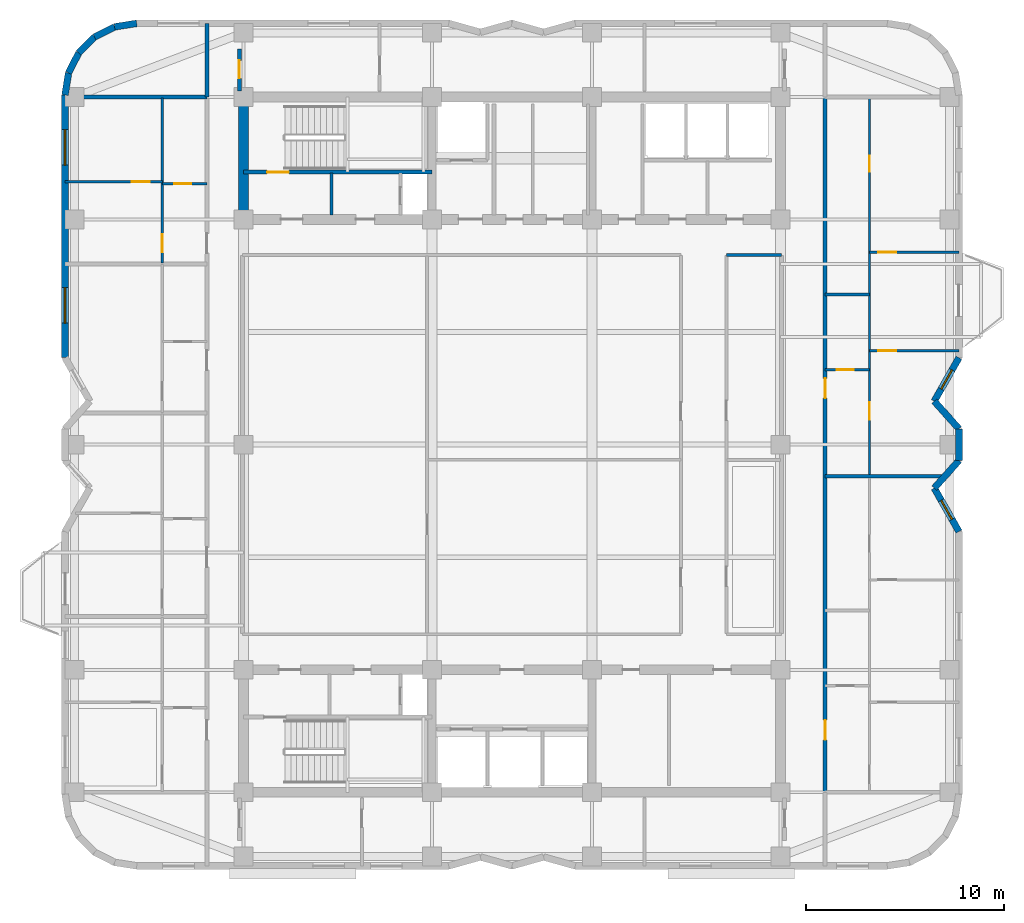
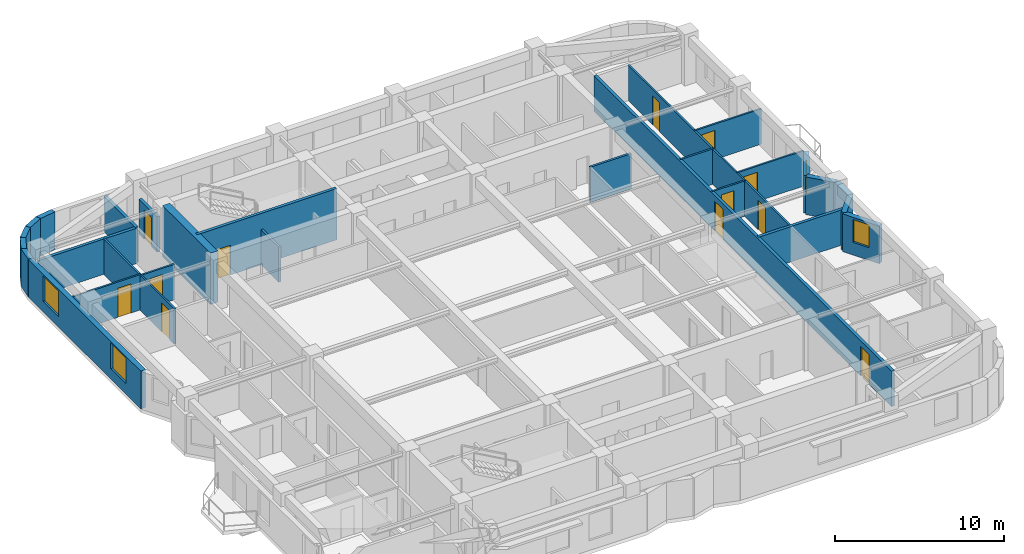
# One storey, part 5 of 9: 28 walls, 12 doors, 4 windows, 16 openings.
"""IFC4 building model written with IfcOpenShell, lengths in metres."""

import ifcopenshell
import ifcopenshell.guid

model = None  # the IFC model being written
_history = None  # IfcOwnerHistory: only IFC2X3 demands one
_inside = {}  # id of a spatial element -> (the spatial element, [elements in it])
_under = {}  # id of a project, library or spatial element -> (it, [spatial elements below it])
_declared = {}  # id of a project -> (the project, [libraries it declares])
_typed = {}  # id of a type object -> (the type object, [elements of that type])
_made_of = {}  # id of a material, layer set ... -> (it, [elements and type objects made of it])


def new_model(schema):
    """Start an empty IFC model of exactly this schema.

    Asked for "IFC4X3", IfcOpenShell would pick the latest addendum, in which some entities
    have other attributes; the version numbers below select the first issue.
    IFC2X3 requires an IfcOwnerHistory on every rooted entity: one is made here for all.
    """
    global model, _history
    if schema == "IFC4X3":
        model = ifcopenshell.file(schema_version=(4, 3, 0, 0))
    else:
        model = ifcopenshell.file(schema=schema)
    _inside.clear()
    _under.clear()
    _declared.clear()
    _typed.clear()
    _made_of.clear()
    _history = None
    if model.schema == "IFC2X3":
        org = make("IfcOrganization", Name="unknown")
        user = make(
            "IfcPersonAndOrganization",
            ThePerson=make("IfcPerson", FamilyName="unknown"),
            TheOrganization=org,
        )
        app = make(
            "IfcApplication",
            ApplicationDeveloper=org,
            Version="unknown",
            ApplicationFullName="unknown",
            ApplicationIdentifier="unknown",
        )
        _history = make(
            "IfcOwnerHistory",
            OwningUser=user,
            OwningApplication=app,
            ChangeAction="ADDED",
            CreationDate=0,
        )
    return model


def make(cls, **values):
    """One entity of the class cls with the attributes given. An attribute that is None is left unset."""
    return model.create_entity(
        cls, **{name: value for name, value in values.items() if value is not None}
    )


def rooted(cls, **values):
    """An entity with a GlobalId (a new one), such as an element, a storey or a relation."""
    return make(cls, GlobalId=ifcopenshell.guid.new(), OwnerHistory=_history, **values)


def si_unit(unit_type, name, prefix=None):
    """IfcSIUnit, for example si_unit("LENGTHUNIT", "METRE", prefix="MILLI")."""
    return make("IfcSIUnit", UnitType=unit_type, Prefix=prefix, Name=name)


def assignment(units):
    """IfcUnitAssignment: the units of a project."""
    return None if units is None else make("IfcUnitAssignment", Units=units)


def point(xyz):
    """IfcCartesianPoint."""
    return None if xyz is None else make("IfcCartesianPoint", Coordinates=xyz)


def direction(xyz):
    """IfcDirection."""
    return None if xyz is None else make("IfcDirection", DirectionRatios=xyz)


def frame(location, z_axis=None, x_axis=None):
    """IfcAxis2Placement3D, a coordinate frame: its origin and axes. An axis left out is left unset."""
    return make(
        "IfcAxis2Placement3D",
        Location=point(location),
        Axis=direction(z_axis),
        RefDirection=direction(x_axis),
    )


def frame_2d(location, x_axis=None):
    """IfcAxis2Placement2D, a coordinate frame in the plane: its origin and x axis."""
    return make(
        "IfcAxis2Placement2D", Location=point(location), RefDirection=direction(x_axis)
    )


def origin():
    """The frame at (0, 0, 0) with its axes left unset."""
    return frame((0.0, 0.0, 0.0))


def place(relative_to, where):
    """IfcLocalPlacement: puts the frame where relative to a parent placement (None: the world)."""
    return make(
        "IfcLocalPlacement", PlacementRelTo=relative_to, RelativePlacement=where
    )


def context(
    kind, dimensions, precision=None, world=None, true_north=None, identifier=None
):
    """IfcGeometricRepresentationContext, for example the 3D "Model" context."""
    return make(
        "IfcGeometricRepresentationContext",
        ContextIdentifier=identifier,
        ContextType=kind,
        CoordinateSpaceDimension=dimensions,
        Precision=precision,
        WorldCoordinateSystem=world,
        TrueNorth=true_north,
    )


def subcontext(parent, identifier, kind, view, scale=None):
    """IfcGeometricRepresentationSubContext, for example "Body" below "Model"."""
    return make(
        "IfcGeometricRepresentationSubContext",
        ContextIdentifier=identifier,
        ContextType=kind,
        ParentContext=parent,
        TargetScale=scale,
        TargetView=view,
    )


def project(units=None, contexts=None):
    """IfcProject with its units and contexts."""
    return rooted(
        "IfcProject",
        Name="project",
        RepresentationContexts=contexts,
        UnitsInContext=assignment(units),
    )


def spatial(cls, under=None, at=None, **own):
    """A site, building, storey or space (cls), placed at a placement, below another one or the project."""
    s = rooted(cls, ObjectPlacement=at, **own)
    if under is not None:
        _under.setdefault(under.id(), (under, []))[1].append(s)
    return s


def profile(cls, at=None, kind="AREA", **sizes):
    """A parametric profile (cls). Its sizes go by their IFC names, for example OverallWidth=200.0."""
    return make(cls, ProfileType=kind, Position=at, **sizes)


def rectangle(**sizes):
    """IfcRectangleProfileDef."""
    return profile("IfcRectangleProfileDef", **sizes)


def extrude(swept, where, along, depth):
    """IfcExtrudedAreaSolid: the profile swept, set in the frame where, extruded along a direction by depth."""
    return make(
        "IfcExtrudedAreaSolid",
        SweptArea=swept,
        Position=where,
        ExtrudedDirection=direction(along),
        Depth=depth,
    )


def shape(context_of_items, identifier, shape_type, items):
    """IfcShapeRepresentation: the items that make up one representation, for example the "Body"."""
    return make(
        "IfcShapeRepresentation",
        ContextOfItems=context_of_items,
        RepresentationIdentifier=identifier,
        RepresentationType=shape_type,
        Items=items,
    )


def material(Name=None, Category=None):
    """IfcMaterial."""
    return make("IfcMaterial", Name=Name, Category=Category)


def layer(
    of_material, thickness, ventilated=None, Name=None, Category=None, Priority=None
):
    """IfcMaterialLayer: one layer of a wall or slab, of a material (None: an air gap)."""
    return make(
        "IfcMaterialLayer",
        Material=of_material,
        LayerThickness=thickness,
        IsVentilated=ventilated,
        Name=Name,
        Category=Category,
        Priority=Priority,
    )


def layer_set(layers, Name=None):
    """IfcMaterialLayerSet."""
    return make("IfcMaterialLayerSet", MaterialLayers=layers, LayerSetName=Name)


def made_of(thing, what):
    """Note that an element or type object is made of a material, layer set ...; save() writes the relation."""
    if what is not None:
        _made_of.setdefault(what.id(), (what, []))[1].append(thing)
    return thing


def type_object(cls, material=None, **own):
    """A type object (cls), such as IfcWallType, which elements share."""
    return made_of(rooted(cls, **own), material)


def element(
    cls,
    number,
    at=None,
    inside=None,
    cuts=None,
    type_object=None,
    material=None,
    context=None,
    identifier="Body",
    shape_type=None,
    held_by="IfcProductDefinitionShape",
    body=None,
    shapes=None,
    **own,
):
    """One element of the class cls, such as IfcWall. Its Tag is "e" and its number.

    at: its placement. inside: the storey or other place that contains it. cuts: it is an
    opening in that element (IfcRelVoidsElement). A single representation is given by context,
    identifier, shape_type and body (its items); several are given by shapes. held_by: the class
    of the entity that holds the representations. save() writes the other relations.
    """
    e = rooted(cls, Tag="e%d" % number, ObjectPlacement=at, **own)
    if body is not None:
        shapes = [shape(context, identifier, shape_type, body)]
    if shapes is not None:
        e.Representation = make(held_by, Representations=shapes)
    if inside is not None:
        _inside.setdefault(inside.id(), (inside, []))[1].append(e)
    if cuts is not None:
        rooted(
            "IfcRelVoidsElement", RelatingBuildingElement=cuts, RelatedOpeningElement=e
        )
    if type_object is not None:
        _typed.setdefault(type_object.id(), (type_object, []))[1].append(e)
    return made_of(e, material)


def fill(opening, filler):
    """IfcRelFillsElement: the door or window that sits in an opening."""
    return rooted(
        "IfcRelFillsElement",
        RelatingOpeningElement=opening,
        RelatedBuildingElement=filler,
    )


def aggregate(whole, parts):
    """IfcRelAggregates: a whole, such as a stair, and the parts it consists of."""
    return rooted("IfcRelAggregates", RelatingObject=whole, RelatedObjects=parts)


def save(model, path):
    """Write the relations noted so far, then the file.

    IfcRelAggregates (storeys below a building ...), IfcRelContainedInSpatialStructure (elements
    in a storey), IfcRelDefinesByType, IfcRelAssociatesMaterial and IfcRelDeclares: one each for
    every whole, place, type object, material and project.
    """
    for whole, parts in _under.values():
        aggregate(whole, parts)
    for where, things in _inside.values():
        rooted(
            "IfcRelContainedInSpatialStructure",
            RelatedElements=things,
            RelatingStructure=where,
        )
    for kind, things in _typed.values():
        rooted("IfcRelDefinesByType", RelatedObjects=things, RelatingType=kind)
    for what, things in _made_of.values():
        rooted("IfcRelAssociatesMaterial", RelatedObjects=things, RelatingMaterial=what)
    for by, libraries in _declared.values():
        rooted("IfcRelDeclares", RelatingContext=by, RelatedDefinitions=libraries)
    model.write(path)


model = new_model("IFC4")

# Units and contexts
model_context = context("Model", 3, precision=1e-05, world=origin(), true_north=direction((0.0, 1.0)))
body_context = subcontext(model_context, "Body", "Model", "MODEL_VIEW")
ifc_project = project(units=[si_unit("LENGTHUNIT", "METRE"), si_unit("AREAUNIT", "SQUARE_METRE"), si_unit("VOLUMEUNIT", "CUBIC_METRE"), si_unit("PLANEANGLEUNIT", "RADIAN"), si_unit("MASSUNIT", "GRAM", prefix="KILO")], contexts=[model_context])

# Site, building, storey
site_placement = place(None, origin())
site = spatial("IfcSite", under=ifc_project, at=site_placement, CompositionType="ELEMENT")
building_placement = place(site_placement, origin())
building = spatial("IfcBuilding", under=site, at=building_placement, Name="Svetorya Sky Lyceum", CompositionType="ELEMENT")
storey_placement = place(building_placement, frame((0.0, 0.0, 166.300048828125)))
storey = spatial("IfcBuildingStorey", under=building, at=storey_placement, Name="L41", CompositionType="ELEMENT", Elevation=166.300048828125)

# Wall
ifc_material_1 = material(Name="Concrete C50/60", Category="concrete")
ifc_layer_1 = layer(ifc_material_1, 0.5)
ifc_layer_set_1 = layer_set([ifc_layer_1], Name="Concrete C50/60")
wall_type_1 = type_object("IfcWallType", Name="WL-CORE-500", PredefinedType="SHEAR", material=ifc_layer_set_1)
wall_1_placement = place(storey_placement, frame((25.60009765625, 39.85009765625, 0.0), z_axis=(0.0, 0.0, 1.0), x_axis=(0.0, 1.0, 0.0)))
element("IfcWall", 1, at=wall_1_placement, inside=storey, type_object=wall_type_1, Name="L41 NC West Core Shear Wall", PredefinedType="SHEAR", context=body_context, shape_type="SweptSolid", body=[
    extrude(rectangle(XDim=5.699951171875, YDim=0.5, at=frame_2d((2.85009765625, 0.0))), origin(), (0.0, 0.0, 1.0), 3.699951171875),
])

# Wall, opening, window
ifc_material_2 = material(Name="Putilovo limestone rainscreen on autoclaved cellular masonry", Category="masonry")
ifc_layer_2 = layer(ifc_material_2, 0.340087890625)
ifc_layer_set_2 = layer_set([ifc_layer_2], Name="Putilovo limestone rainscreen on autoclaved cellular masonry")
wall_type_2 = type_object("IfcWallType", Name="WL-EXT-340", PredefinedType="SOLIDWALL", material=ifc_layer_set_2)
wall_2_placement = place(storey_placement, frame((61.830078125, 23.800048828125, 0.0), z_axis=(0.0, 0.0, 1.0), x_axis=(-0.494017696272, 0.869451847873, 0.0)))
wall_2 = element("IfcWall", 2, at=wall_2_placement, inside=storey, type_object=wall_type_2, Name="L41 Limestone Exterior Wall 18M", PredefinedType="SOLIDWALL", context=body_context, shape_type="SweptSolid", body=[
    extrude(rectangle(XDim=2.5302734375, YDim=0.340087890625, at=frame_2d((1.26513671875, 0.0))), origin(), (0.0, 0.0, 1.0), 2.719970703125),
])
opening_1_placement = place(wall_2_placement, frame((0.715087890625, 0.0, 0.909912109375)))
opening_1 = element("IfcOpeningElement", 3, at=opening_1_placement, cuts=wall_2, Name="Opening W-R3", PredefinedType="OPENING", context=body_context, shape_type="SweptSolid", body=[
    extrude(rectangle(XDim=1.10009765625, YDim=1.64990234375, at=frame_2d((0.550048828125, 0.824951171875))), frame((0.0, 0.179931640625, 0.0), z_axis=(0.0, -1.0, 0.0), x_axis=(1.0, 0.0, 0.0)), (0.0, 0.0, 1.0), 0.360107421875),
])
ifc_material_3 = material(Name="Thermally broken aluminium frame with triple low-E glazing", Category="aluminium")
window_type_1 = type_object("IfcWindowType", Name="WN-RES-110", PartitioningType="SINGLE_PANEL", PredefinedType="WINDOW", material=ifc_material_3)
window_1_placement = place(opening_1_placement, origin())
window_1 = element("IfcWindow", 4, at=window_1_placement, inside=storey, type_object=window_type_1, Name="L41 Facade Window W-R3.18M.1", OverallHeight=1.64990234375, OverallWidth=1.10009765625, PartitioningType="SINGLE_PANEL", PredefinedType="WINDOW", context=body_context, shape_type="SweptSolid", body=[
    extrude(rectangle(XDim=1.10009765625, YDim=1.64990234375, at=frame_2d((0.550048828125, 0.824951171875))), frame((0.0, 0.030029296875, 0.0), z_axis=(0.0, -1.0, 0.0), x_axis=(1.0, 0.0, 0.0)), (0.0, 0.0, 1.0), 0.06005859375),
])
fill(opening_1, window_1)

# Walls
wall_3_placement = place(storey_placement, frame((60.580078125, 26.0, 0.0), z_axis=(0.0, 0.0, 1.0), x_axis=(0.666041619974, 0.74591457987, 0.0)))
element("IfcWall", 5, at=wall_3_placement, inside=storey, type_object=wall_type_2, Name="L41 Limestone Exterior Wall 19M", PredefinedType="SOLIDWALL", context=body_context, shape_type="SweptSolid", body=[
    extrude(rectangle(XDim=1.876708984375, YDim=0.340087890625, at=frame_2d((0.9384765625, 0.0))), origin(), (0.0, 0.0, 1.0), 2.719970703125),
])
wall_4_placement = place(storey_placement, frame((61.830078125, 27.39990234375, 0.0), z_axis=(0.0, 0.0, 1.0), x_axis=(0.0, 1.0, 0.0)))
element("IfcWall", 6, at=wall_4_placement, inside=storey, type_object=wall_type_2, Name="L41 Limestone Exterior Wall 20M", PredefinedType="SOLIDWALL", context=body_context, shape_type="SweptSolid", body=[
    extrude(rectangle(XDim=1.60009765625, YDim=0.340087890625, at=frame_2d((0.800048828125, 0.0))), origin(), (0.0, 0.0, 1.0), 2.719970703125),
])
wall_5_placement = place(storey_placement, frame((61.830078125, 29.0, 0.0), z_axis=(0.0, 0.0, 1.0), x_axis=(-0.666041619974, 0.74591457987, 0.0)))
element("IfcWall", 7, at=wall_5_placement, inside=storey, type_object=wall_type_2, Name="L41 Limestone Exterior Wall 21M", PredefinedType="SOLIDWALL", context=body_context, shape_type="SweptSolid", body=[
    extrude(rectangle(XDim=1.876708984375, YDim=0.340087890625, at=frame_2d((0.9384765625, 0.0))), origin(), (0.0, 0.0, 1.0), 2.719970703125),
])

# Wall, opening, window
wall_6_placement = place(storey_placement, frame((60.580078125, 30.39990234375, 0.0), z_axis=(0.0, 0.0, 1.0), x_axis=(0.493976255291, 0.869475393101, 0.0)))
wall_6 = element("IfcWall", 8, at=wall_6_placement, inside=storey, type_object=wall_type_2, Name="L41 Limestone Exterior Wall 22M", PredefinedType="SOLIDWALL", context=body_context, shape_type="SweptSolid", body=[
    extrude(rectangle(XDim=2.530517578125, YDim=0.340087890625, at=frame_2d((1.26513671875, 0.0))), origin(), (0.0, 0.0, 1.0), 2.719970703125),
])
opening_2_placement = place(wall_6_placement, frame((0.715087890625, 0.0, 0.909912109375)))
opening_2 = element("IfcOpeningElement", 9, at=opening_2_placement, cuts=wall_6, Name="Opening W-R3", PredefinedType="OPENING", context=body_context, shape_type="SweptSolid", body=[
    extrude(rectangle(XDim=1.10009765625, YDim=1.64990234375, at=frame_2d((0.550048828125, 0.824951171875))), frame((0.0, 0.179931640625, 0.0), z_axis=(0.0, -1.0, 0.0), x_axis=(1.0, 0.0, 0.0)), (0.0, 0.0, 1.0), 0.360107421875),
])
window_2_placement = place(opening_2_placement, origin())
window_2 = element("IfcWindow", 10, at=window_2_placement, inside=storey, type_object=window_type_1, Name="L41 Facade Window W-R3.22M.1", OverallHeight=1.64990234375, OverallWidth=1.10009765625, PartitioningType="SINGLE_PANEL", PredefinedType="WINDOW", context=body_context, shape_type="SweptSolid", body=[
    extrude(rectangle(XDim=1.10009765625, YDim=1.64990234375, at=frame_2d((0.550048828125, 0.824951171875))), frame((0.0, 0.030029296875, 0.0), z_axis=(0.0, -1.0, 0.0), x_axis=(1.0, 0.0, 0.0)), (0.0, 0.0, 1.0), 0.06005859375),
])
fill(opening_2, window_2)

# Walls
wall_7_placement = place(storey_placement, frame((20.199951171875, 49.530029296875, 0.0), z_axis=(0.0, 0.0, 1.0), x_axis=(-0.987675651954, -0.156514556949, 0.0)))
element("IfcWall", 11, at=wall_7_placement, inside=storey, type_object=wall_type_2, Name="L41 Limestone Exterior Wall 35M", PredefinedType="SOLIDWALL", context=body_context, shape_type="SweptSolid", body=[
    extrude(rectangle(XDim=1.135498046875, YDim=0.340087890625, at=frame_2d((0.56787109375, 0.0))), origin(), (0.0, 0.0, 1.0), 2.719970703125),
])
for number, where, z_axis, x_axis, name in (
    (12, (19.078369140625, 49.352294921875, 0.0), (0.0, 0.0, 1.0), (-0.891005044957, -0.453993402883, 0.0), "L41 Limestone Exterior Wall 36M"),
    (13, (18.06640625, 48.836669921875, 0.0), (0.0, 0.0, 1.0), (-0.707214252388, -0.706999293649, 0.0), "L41 Limestone Exterior Wall 37M"),
    (14, (17.26318359375, 48.03369140625, 0.0), (0.0, 0.0, 1.0), (-0.453822724105, -0.891091990249, 0.0), "L41 Limestone Exterior Wall 38M"),
    (15, (16.747802734375, 47.021728515625, 0.0), (0.0, 0.0, 1.0), (-0.156481329164, -0.987680916907, 0.0), "L41 Limestone Exterior Wall 39M"),
):
    element("IfcWall", number, at=place(storey_placement, frame(where, z_axis=z_axis, x_axis=x_axis)), inside=storey, type_object=wall_type_2, Name=name, PredefinedType="SOLIDWALL", context=body_context, shape_type="SweptSolid", body=[
        extrude(rectangle(XDim=1.1357421875, YDim=0.340087890625, at=frame_2d((0.56787109375, 0.0))), origin(), (0.0, 0.0, 1.0), 2.719970703125),
    ])

# Wall, openings, windows
wall_8_placement = place(storey_placement, frame((16.570068359375, 45.89990234375, 0.0), z_axis=(0.0, 0.0, 1.0), x_axis=(0.0, -1.0, 0.0)))
wall_8 = element("IfcWall", 16, at=wall_8_placement, inside=storey, type_object=wall_type_2, Name="L41 Limestone Exterior Wall 40M", PredefinedType="SOLIDWALL", context=body_context, shape_type="SweptSolid", body=[
    extrude(rectangle(XDim=13.2998046875, YDim=0.340087890625, at=frame_2d((6.64990234375, 0.0))), origin(), (0.0, 0.0, 1.0), 2.719970703125),
])
opening_3_placement = place(wall_8_placement, frame((1.75, 0.0, 0.75)))
opening_3 = element("IfcOpeningElement", 17, at=opening_3_placement, cuts=wall_8, Name="Opening W-R1", PredefinedType="OPENING", context=body_context, shape_type="SweptSolid", body=[
    extrude(rectangle(XDim=1.800048828125, YDim=1.85009765625, at=frame_2d((0.89990234375, 0.925048828125))), frame((0.0, 0.179931640625, 0.0), z_axis=(0.0, -1.0, 0.0), x_axis=(1.0, 0.0, 0.0)), (0.0, 0.0, 1.0), 0.360107421875),
])
opening_4_placement = place(wall_8_placement, frame((9.75, 0.0, 0.75)))
opening_4 = element("IfcOpeningElement", 18, at=opening_4_placement, cuts=wall_8, Name="Opening W-R1", PredefinedType="OPENING", context=body_context, shape_type="SweptSolid", body=[
    extrude(rectangle(XDim=1.800048828125, YDim=1.85009765625, at=frame_2d((0.89990234375, 0.925048828125))), frame((0.0, 0.179931640625, 0.0), z_axis=(0.0, -1.0, 0.0), x_axis=(1.0, 0.0, 0.0)), (0.0, 0.0, 1.0), 0.360107421875),
])
window_type_2 = type_object("IfcWindowType", Name="WN-RES-180", PartitioningType="DOUBLE_PANEL_VERTICAL", PredefinedType="WINDOW", material=ifc_material_3)
window_3_placement = place(opening_3_placement, origin())
window_3 = element("IfcWindow", 19, at=window_3_placement, inside=storey, type_object=window_type_2, Name="L41 Facade Window W-R1.40M.1", OverallHeight=1.85009765625, OverallWidth=1.800048828125, PartitioningType="SINGLE_PANEL", PredefinedType="WINDOW", context=body_context, shape_type="SweptSolid", body=[
    extrude(rectangle(XDim=1.800048828125, YDim=1.85009765625, at=frame_2d((0.89990234375, 0.925048828125))), frame((0.0, 0.030029296875, 0.0), z_axis=(0.0, -1.0, 0.0), x_axis=(1.0, 0.0, 0.0)), (0.0, 0.0, 1.0), 0.06005859375),
])
fill(opening_3, window_3)
window_4_placement = place(opening_4_placement, origin())
window_4 = element("IfcWindow", 20, at=window_4_placement, inside=storey, type_object=window_type_2, Name="L41 Facade Window W-R1.40M.2", OverallHeight=1.85009765625, OverallWidth=1.800048828125, PartitioningType="SINGLE_PANEL", PredefinedType="WINDOW", context=body_context, shape_type="SweptSolid", body=[
    extrude(rectangle(XDim=1.800048828125, YDim=1.85009765625, at=frame_2d((0.89990234375, 0.925048828125))), frame((0.0, 0.030029296875, 0.0), z_axis=(0.0, -1.0, 0.0), x_axis=(1.0, 0.0, 0.0)), (0.0, 0.0, 1.0), 0.06005859375),
])
fill(opening_4, window_4)

# Wall, opening, door
ifc_material_4 = material(Name="Twin-stud galvanized framing with double fireboard", Category="gypsum")
ifc_layer_3 = layer(ifc_material_4, 0.1201171875)
ifc_layer_set_3 = layer_set([ifc_layer_3], Name="Twin-stud galvanized framing with double fireboard")
wall_type_3 = type_object("IfcWallType", Name="WL-PART-120", PredefinedType="PARTITIONING", material=ifc_layer_set_3)
wall_9_placement = place(storey_placement, frame((21.5, 41.412109375, 0.0), z_axis=(0.0, 0.0, 1.0), x_axis=(1.0, 0.0, 0.0)))
wall_9 = element("IfcWall", 21, at=wall_9_placement, inside=storey, type_object=wall_type_3, Name="L41 Interior Partition W4-WH1", PredefinedType="PARTITIONING", context=body_context, shape_type="SweptSolid", body=[
    extrude(rectangle(XDim=2.25, YDim=0.1201171875, at=frame_2d((1.125, 0.0))), origin(), (0.0, 0.0, 1.0), 2.550048828125),
])
opening_5_placement = place(wall_9_placement, frame((0.60009765625, 0.0, 0.0)))
opening_5 = element("IfcOpeningElement", 22, at=opening_5_placement, cuts=wall_9, Name="Opening D-BT1", PredefinedType="OPENING", context=body_context, shape_type="SweptSolid", body=[
    extrude(rectangle(XDim=0.85009765625, YDim=2.10009765625, at=frame_2d((0.425048828125, 1.050048828125))), frame((0.0, 0.070068359375, 0.0), z_axis=(0.0, -1.0, 0.0), x_axis=(1.0, 0.0, 0.0)), (0.0, 0.0, 1.0), 0.14013671875),
])
ifc_material_5 = material(Name="Moisture-resistant laminate bathroom door")
door_type_1 = type_object("IfcDoorType", Name="DR-WET-850", OperationType="SINGLE_SWING_LEFT", PredefinedType="DOOR", material=ifc_material_5)
door_1_placement = place(opening_5_placement, origin())
door_1 = element("IfcDoor", 23, at=door_1_placement, inside=storey, type_object=door_type_1, Name="Apartment W4 Bathroom Door", OperationType="SINGLE_SWING_RIGHT", OverallHeight=2.10009765625, OverallWidth=0.85009765625, PredefinedType="DOOR", context=body_context, shape_type="SweptSolid", body=[
    extrude(rectangle(XDim=0.85009765625, YDim=2.10009765625, at=frame_2d((0.425048828125, 1.050048828125))), frame((0.0, 0.02490234375, 0.0), z_axis=(0.0, -1.0, 0.0), x_axis=(1.0, 0.0, 0.0)), (0.0, 0.0, 1.0), 0.050048828125),
])
fill(opening_5, door_1)

wall_10_placement = place(storey_placement, frame((16.570068359375, 41.501953125, 0.0), z_axis=(0.0, 0.0, 1.0), x_axis=(1.0, 0.0, 0.0)))
wall_10 = element("IfcWall", 24, at=wall_10_placement, inside=storey, type_object=wall_type_3, Name="L41 Interior Partition W4-WL1", PredefinedType="PARTITIONING", context=body_context, shape_type="SweptSolid", body=[
    extrude(rectangle(XDim=4.929931640625, YDim=0.1201171875, at=frame_2d((2.46484375, 0.0))), origin(), (0.0, 0.0, 1.0), 2.550048828125),
])
opening_6_placement = place(wall_10_placement, frame((3.3798828125, 0.0, 0.0)))
opening_6 = element("IfcOpeningElement", 25, at=opening_6_placement, cuts=wall_10, Name="Opening D-RM1", PredefinedType="OPENING", context=body_context, shape_type="SweptSolid", body=[
    extrude(rectangle(XDim=0.89990234375, YDim=2.10009765625, at=frame_2d((0.449951171875, 1.050048828125))), frame((0.0, 0.070068359375, 0.0), z_axis=(0.0, -1.0, 0.0), x_axis=(1.0, 0.0, 0.0)), (0.0, 0.0, 1.0), 0.14013671875),
])
ifc_material_6 = material(Name="Lacquered birch veneer internal door")
door_type_2 = type_object("IfcDoorType", Name="DR-INT-900", OperationType="SINGLE_SWING_LEFT", PredefinedType="DOOR", material=ifc_material_6)
door_2_placement = place(opening_6_placement, origin())
door_2 = element("IfcDoor", 26, at=door_2_placement, inside=storey, type_object=door_type_2, Name="Apartment W4 Bedroom 1 Door", OperationType="SINGLE_SWING_RIGHT", OverallHeight=2.10009765625, OverallWidth=0.89990234375, PredefinedType="DOOR", context=body_context, shape_type="SweptSolid", body=[
    extrude(rectangle(XDim=0.89990234375, YDim=2.10009765625, at=frame_2d((0.449951171875, 1.050048828125))), frame((0.0, 0.02490234375, 0.0), z_axis=(0.0, -1.0, 0.0), x_axis=(1.0, 0.0, 0.0)), (0.0, 0.0, 1.0), 0.050048828125),
])
fill(opening_6, door_2)

wall_11_placement = place(storey_placement, frame((21.5, 37.39208984375, 0.0), z_axis=(0.0, 0.0, 1.0), x_axis=(0.0, 1.0, 0.0)))
wall_11 = element("IfcWall", 27, at=wall_11_placement, inside=storey, type_object=wall_type_3, Name="L41 Interior Partition W4-WV", PredefinedType="PARTITIONING", context=body_context, shape_type="SweptSolid", body=[
    extrude(rectangle(XDim=8.367919921875, YDim=0.1201171875, at=frame_2d((4.18408203125, 0.0))), origin(), (0.0, 0.0, 1.0), 2.550048828125),
])
opening_7_placement = place(wall_11_placement, frame((0.56005859375, 0.0, 0.0)))
opening_7 = element("IfcOpeningElement", 28, at=opening_7_placement, cuts=wall_11, Name="Opening D-RM1", PredefinedType="OPENING", context=body_context, shape_type="SweptSolid", body=[
    extrude(rectangle(XDim=0.89990234375, YDim=2.10009765625, at=frame_2d((0.449951171875, 1.050048828125))), frame((0.0, 0.070068359375, 0.0), z_axis=(0.0, -1.0, 0.0), x_axis=(1.0, 0.0, 0.0)), (0.0, 0.0, 1.0), 0.14013671875),
])
door_3_placement = place(opening_7_placement, origin())
door_3 = element("IfcDoor", 29, at=door_3_placement, inside=storey, type_object=door_type_2, Name="Apartment W4 Living Door", OperationType="SINGLE_SWING_LEFT", OverallHeight=2.10009765625, OverallWidth=0.89990234375, PredefinedType="DOOR", context=body_context, shape_type="SweptSolid", body=[
    extrude(rectangle(XDim=0.89990234375, YDim=2.10009765625, at=frame_2d((0.449951171875, 1.050048828125))), frame((0.0, 0.02490234375, 0.0), z_axis=(0.0, -1.0, 0.0), x_axis=(1.0, 0.0, 0.0)), (0.0, 0.0, 1.0), 0.050048828125),
])
fill(opening_7, door_3)

wall_12_placement = place(storey_placement, frame((55.050048828125, 32.0, 0.0), z_axis=(0.0, 0.0, 1.0), x_axis=(1.0, 0.0, 0.0)))
wall_12 = element("IfcWall", 30, at=wall_12_placement, inside=storey, type_object=wall_type_3, Name="L41 Interior Partition E2-WH1", PredefinedType="PARTITIONING", context=body_context, shape_type="SweptSolid", body=[
    extrude(rectangle(XDim=2.25, YDim=0.1201171875, at=frame_2d((1.125, 0.0))), origin(), (0.0, 0.0, 1.0), 2.550048828125),
])
opening_8_placement = place(wall_12_placement, frame((0.60009765625, 0.0, 0.0)))
opening_8 = element("IfcOpeningElement", 31, at=opening_8_placement, cuts=wall_12, Name="Opening D-BT1", PredefinedType="OPENING", context=body_context, shape_type="SweptSolid", body=[
    extrude(rectangle(XDim=0.85009765625, YDim=2.10009765625, at=frame_2d((0.425048828125, 1.050048828125))), frame((0.0, 0.070068359375, 0.0), z_axis=(0.0, -1.0, 0.0), x_axis=(1.0, 0.0, 0.0)), (0.0, 0.0, 1.0), 0.14013671875),
])
door_4_placement = place(opening_8_placement, origin())
door_4 = element("IfcDoor", 32, at=door_4_placement, inside=storey, type_object=door_type_1, Name="Apartment E2 Bathroom Door", OperationType="SINGLE_SWING_LEFT", OverallHeight=2.10009765625, OverallWidth=0.85009765625, PredefinedType="DOOR", context=body_context, shape_type="SweptSolid", body=[
    extrude(rectangle(XDim=0.85009765625, YDim=2.10009765625, at=frame_2d((0.425048828125, 1.050048828125))), frame((0.0, 0.02490234375, 0.0), z_axis=(0.0, -1.0, 0.0), x_axis=(1.0, 0.0, 0.0)), (0.0, 0.0, 1.0), 0.050048828125),
])
fill(opening_8, door_4)

wall_13_placement = place(storey_placement, frame((57.300048828125, 32.949951171875, 0.0), z_axis=(0.0, 0.0, 1.0), x_axis=(1.0, 0.0, 0.0)))
wall_13 = element("IfcWall", 33, at=wall_13_placement, inside=storey, type_object=wall_type_3, Name="L41 Interior Partition E2-WL1", PredefinedType="PARTITIONING", context=body_context, shape_type="SweptSolid", body=[
    extrude(rectangle(XDim=4.530029296875, YDim=0.1201171875, at=frame_2d((2.26513671875, 0.0))), origin(), (0.0, 0.0, 1.0), 2.550048828125),
])
opening_9_placement = place(wall_13_placement, frame((0.449951171875, 0.0, 0.0)))
opening_9 = element("IfcOpeningElement", 34, at=opening_9_placement, cuts=wall_13, Name="Opening D-RM1", PredefinedType="OPENING", context=body_context, shape_type="SweptSolid", body=[
    extrude(rectangle(XDim=0.89990234375, YDim=2.10009765625, at=frame_2d((0.449951171875, 1.050048828125))), frame((0.0, 0.070068359375, 0.0), z_axis=(0.0, -1.0, 0.0), x_axis=(1.0, 0.0, 0.0)), (0.0, 0.0, 1.0), 0.14013671875),
])
door_5_placement = place(opening_9_placement, origin())
door_5 = element("IfcDoor", 35, at=door_5_placement, inside=storey, type_object=door_type_2, Name="Apartment E2 Master Bedroom Door", OperationType="SINGLE_SWING_LEFT", OverallHeight=2.10009765625, OverallWidth=0.89990234375, PredefinedType="DOOR", context=body_context, shape_type="SweptSolid", body=[
    extrude(rectangle(XDim=0.89990234375, YDim=2.10009765625, at=frame_2d((0.449951171875, 1.050048828125))), frame((0.0, 0.02490234375, 0.0), z_axis=(0.0, -1.0, 0.0), x_axis=(1.0, 0.0, 0.0)), (0.0, 0.0, 1.0), 0.050048828125),
])
fill(opening_9, door_5)

wall_14_placement = place(storey_placement, frame((57.300048828125, 37.949951171875, 0.0), z_axis=(0.0, 0.0, 1.0), x_axis=(1.0, 0.0, 0.0)))
wall_14 = element("IfcWall", 36, at=wall_14_placement, inside=storey, type_object=wall_type_3, Name="L41 Interior Partition E2-WL2", PredefinedType="PARTITIONING", context=body_context, shape_type="SweptSolid", body=[
    extrude(rectangle(XDim=4.530029296875, YDim=0.1201171875, at=frame_2d((2.26513671875, 0.0))), origin(), (0.0, 0.0, 1.0), 2.550048828125),
])
opening_10_placement = place(wall_14_placement, frame((0.449951171875, 0.0, 0.0)))
opening_10 = element("IfcOpeningElement", 37, at=opening_10_placement, cuts=wall_14, Name="Opening D-RM1", PredefinedType="OPENING", context=body_context, shape_type="SweptSolid", body=[
    extrude(rectangle(XDim=0.89990234375, YDim=2.10009765625, at=frame_2d((0.449951171875, 1.050048828125))), frame((0.0, 0.070068359375, 0.0), z_axis=(0.0, -1.0, 0.0), x_axis=(1.0, 0.0, 0.0)), (0.0, 0.0, 1.0), 0.14013671875),
])
door_6_placement = place(opening_10_placement, origin())
door_6 = element("IfcDoor", 38, at=door_6_placement, inside=storey, type_object=door_type_2, Name="Apartment E2 Bedroom 2 Door", OperationType="SINGLE_SWING_RIGHT", OverallHeight=2.10009765625, OverallWidth=0.89990234375, PredefinedType="DOOR", context=body_context, shape_type="SweptSolid", body=[
    extrude(rectangle(XDim=0.89990234375, YDim=2.10009765625, at=frame_2d((0.449951171875, 1.050048828125))), frame((0.0, 0.02490234375, 0.0), z_axis=(0.0, -1.0, 0.0), x_axis=(1.0, 0.0, 0.0)), (0.0, 0.0, 1.0), 0.050048828125),
])
fill(opening_10, door_6)

# Wall, openings, doors
wall_15_placement = place(storey_placement, frame((57.300048828125, 26.639892578125, 0.0), z_axis=(0.0, 0.0, 1.0), x_axis=(0.0, 1.0, 0.0)))
wall_15 = element("IfcWall", 39, at=wall_15_placement, inside=storey, type_object=wall_type_3, Name="L41 Interior Partition E2-WV", PredefinedType="PARTITIONING", context=body_context, shape_type="SweptSolid", body=[
    extrude(rectangle(XDim=19.1201171875, YDim=0.1201171875, at=frame_2d((9.56005859375, 0.0))), origin(), (0.0, 0.0, 1.0), 2.550048828125),
])
opening_11_placement = place(wall_15_placement, frame((2.81005859375, 0.0, 0.0)))
opening_11 = element("IfcOpeningElement", 40, at=opening_11_placement, cuts=wall_15, Name="Opening D-RM1", PredefinedType="OPENING", context=body_context, shape_type="SweptSolid", body=[
    extrude(rectangle(XDim=0.89990234375, YDim=2.10009765625, at=frame_2d((0.449951171875, 1.050048828125))), frame((0.0, 0.070068359375, 0.0), z_axis=(0.0, -1.0, 0.0), x_axis=(1.0, 0.0, 0.0)), (0.0, 0.0, 1.0), 0.14013671875),
])
opening_12_placement = place(wall_15_placement, frame((15.364990234375, 0.0, 0.0)))
opening_12 = element("IfcOpeningElement", 41, at=opening_12_placement, cuts=wall_15, Name="Opening D-BT2", PredefinedType="OPENING", context=body_context, shape_type="SweptSolid", body=[
    extrude(rectangle(XDim=0.820068359375, YDim=2.080078125, at=frame_2d((0.41015625, 1.0400390625))), frame((0.0, 0.070068359375, 0.0), z_axis=(0.0, -1.0, 0.0), x_axis=(1.0, 0.0, 0.0)), (0.0, 0.0, 1.0), 0.14013671875),
])
door_7_placement = place(opening_11_placement, origin())
door_7 = element("IfcDoor", 42, at=door_7_placement, inside=storey, type_object=door_type_2, Name="Apartment E2 Living Door", OperationType="SINGLE_SWING_RIGHT", OverallHeight=2.10009765625, OverallWidth=0.89990234375, PredefinedType="DOOR", context=body_context, shape_type="SweptSolid", body=[
    extrude(rectangle(XDim=0.89990234375, YDim=2.10009765625, at=frame_2d((0.449951171875, 1.050048828125))), frame((0.0, 0.02490234375, 0.0), z_axis=(0.0, -1.0, 0.0), x_axis=(1.0, 0.0, 0.0)), (0.0, 0.0, 1.0), 0.050048828125),
])
fill(opening_11, door_7)
ifc_material_7 = material(Name="Compact moisture-resistant laminate closet door")
door_type_3 = type_object("IfcDoorType", Name="DR-WET-820", OperationType="SINGLE_SWING_LEFT", PredefinedType="DOOR", material=ifc_material_7)
door_8_placement = place(opening_12_placement, origin())
door_8 = element("IfcDoor", 43, at=door_8_placement, inside=storey, type_object=door_type_3, Name="Apartment E2 Study Door", OperationType="SINGLE_SWING_LEFT", OverallHeight=2.080078125, OverallWidth=0.820068359375, PredefinedType="DOOR", context=body_context, shape_type="SweptSolid", body=[
    extrude(rectangle(XDim=0.820068359375, YDim=2.080078125, at=frame_2d((0.41015625, 1.0400390625))), frame((0.0, 0.02490234375, 0.0), z_axis=(0.0, -1.0, 0.0), x_axis=(1.0, 0.0, 0.0)), (0.0, 0.0, 1.0), 0.050048828125),
])
fill(opening_12, door_8)

# Walls
ifc_material_8 = material(Name="Twin-stud galvanized framing with acoustic board", Category="gypsum")
ifc_layer_4 = layer(ifc_material_8, 0.135009765625)
ifc_layer_set_4 = layer_set([ifc_layer_4], Name="Twin-stud galvanized framing with acoustic board")
wall_type_4 = type_object("IfcWallType", Name="WL-PART-135", PredefinedType="PARTITIONING", material=ifc_layer_set_4)
wall_16_placement = place(storey_placement, frame((55.050048828125, 35.800048828125, 0.0), z_axis=(0.0, 0.0, 1.0), x_axis=(1.0, 0.0, 0.0)))
element("IfcWall", 44, at=wall_16_placement, inside=storey, type_object=wall_type_4, Name="L41 Interior Partition E2-WH2", PredefinedType="PARTITIONING", context=body_context, shape_type="SweptSolid", body=[
    extrude(rectangle(XDim=2.25, YDim=0.135009765625, at=frame_2d((1.125, 0.0))), origin(), (0.0, 0.0, 1.0), 2.550048828125),
])
ifc_material_9 = material(Name="Autoclaved cellular masonry blockwork with acoustic render", Category="masonry")
ifc_layer_5 = layer(ifc_material_9, 0.14990234375)
ifc_layer_set_5 = layer_set([ifc_layer_5], Name="Autoclaved cellular masonry blockwork with acoustic render")
wall_type_5 = type_object("IfcWallType", Name="WL-PART-150", PredefinedType="PARTITIONING", material=ifc_layer_set_5)
wall_17_placement = place(storey_placement, frame((30.050048828125, 39.820068359375, 0.0), z_axis=(0.0, 0.0, 1.0), x_axis=(0.0, 1.0, 0.0)))
element("IfcWall", 45, at=wall_17_placement, inside=storey, type_object=wall_type_5, Name="L41 Interior Partition NC-NWD1", PredefinedType="PARTITIONING", context=body_context, shape_type="SweptSolid", body=[
    extrude(rectangle(XDim=2.1298828125, YDim=0.14990234375, at=frame_2d((1.06494140625, 0.0))), origin(), (0.0, 0.0, 1.0), 2.550048828125),
])
wall_18_placement = place(storey_placement, frame((50.050048828125, 37.800048828125, 0.0), z_axis=(0.0, 0.0, 1.0), x_axis=(1.0, 0.0, 0.0)))
element("IfcWall", 46, at=wall_18_placement, inside=storey, type_object=wall_type_5, Name="L41 Interior Partition OFF-CN-E", PredefinedType="PARTITIONING", context=body_context, shape_type="SweptSolid", body=[
    extrude(rectangle(XDim=2.800048828125, YDim=0.14990234375, at=frame_2d((1.39990234375, 0.0))), origin(), (0.0, 0.0, 1.0), 2.550048828125),
])
ifc_material_10 = material(Name="Autoclaved cellular masonry blockwork with gypsum plaster", Category="masonry")
ifc_layer_6 = layer(ifc_material_10, 0.199951171875)
ifc_layer_set_6 = layer_set([ifc_layer_6], Name="Autoclaved cellular masonry blockwork with gypsum plaster")
wall_type_6 = type_object("IfcWallType", Name="WL-PART-200", PredefinedType="PARTITIONING", material=ifc_layer_set_6)
wall_19_placement = place(storey_placement, frame((16.989990234375, 45.800048828125, 0.0), z_axis=(0.0, 0.0, 1.0), x_axis=(1.0, 0.0, 0.0)))
element("IfcWall", 47, at=wall_19_placement, inside=storey, type_object=wall_type_6, Name="L41 Interior Partition W-CAP-N", PredefinedType="PARTITIONING", context=body_context, shape_type="SweptSolid", body=[
    extrude(rectangle(XDim=6.760009765625, YDim=0.199951171875, at=frame_2d((3.3798828125, 0.0))), origin(), (0.0, 0.0, 1.0), 2.550048828125),
])
wall_20_placement = place(storey_placement, frame((55.050048828125, 26.60009765625, 0.0), z_axis=(0.0, 0.0, 1.0), x_axis=(1.0, 0.0, 0.0)))
element("IfcWall", 48, at=wall_20_placement, inside=storey, type_object=wall_type_6, Name="L41 Interior Partition E-PARTY-1", PredefinedType="PARTITIONING", context=body_context, shape_type="SweptSolid", body=[
    extrude(rectangle(XDim=6.065673828125, YDim=0.199951171875, at=frame_2d((3.03271484375, 0.0))), origin(), (0.0, 0.0, 1.0), 2.550048828125),
])

# Wall, openings, doors
wall_21_placement = place(storey_placement, frame((55.050048828125, 10.60009765625, 0.0), z_axis=(0.0, 0.0, 1.0), x_axis=(0.0, 1.0, 0.0)))
wall_21 = element("IfcWall", 49, at=wall_21_placement, inside=storey, type_object=wall_type_6, Name="L41 Interior Partition E-CORRW", PredefinedType="PARTITIONING", context=body_context, shape_type="SweptSolid", body=[
    extrude(rectangle(XDim=35.199951171875, YDim=0.199951171875, at=frame_2d((17.60009765625, 0.0))), origin(), (0.0, 0.0, 1.0), 2.550048828125),
])
opening_13_placement = place(wall_21_placement, frame((2.64990234375, 0.0, 0.0)))
opening_13 = element("IfcOpeningElement", 50, at=opening_13_placement, cuts=wall_21, Name="Opening D-APT1", PredefinedType="OPENING", context=body_context, shape_type="SweptSolid", body=[
    extrude(rectangle(XDim=1.0, YDim=2.14990234375, at=frame_2d((0.5, 1.074951171875))), frame((0.0, 0.10986328125, 0.0), z_axis=(0.0, -1.0, 0.0), x_axis=(1.0, 0.0, 0.0)), (0.0, 0.0, 1.0), 0.219970703125),
])
opening_14_placement = place(wall_21_placement, frame((19.949951171875, 0.0, 0.0)))
opening_14 = element("IfcOpeningElement", 51, at=opening_14_placement, cuts=wall_21, Name="Opening D-APT1", PredefinedType="OPENING", context=body_context, shape_type="SweptSolid", body=[
    extrude(rectangle(XDim=1.0, YDim=2.14990234375, at=frame_2d((0.5, 1.074951171875))), frame((0.0, 0.10986328125, 0.0), z_axis=(0.0, -1.0, 0.0), x_axis=(1.0, 0.0, 0.0)), (0.0, 0.0, 1.0), 0.219970703125),
])
ifc_material_11 = material(Name="Insulated oak-veneered apartment entrance door")
door_type_4 = type_object("IfcDoorType", Name="DR-APT-1000", OperationType="SINGLE_SWING_LEFT", PredefinedType="DOOR", material=ifc_material_11)
door_9_placement = place(opening_13_placement, origin())
door_9 = element("IfcDoor", 52, at=door_9_placement, inside=storey, type_object=door_type_4, Name="L41 Apartment E1 Entrance Door", OperationType="SINGLE_SWING_RIGHT", OverallHeight=2.14990234375, OverallWidth=1.0, PredefinedType="DOOR", context=body_context, shape_type="SweptSolid", body=[
    extrude(rectangle(XDim=1.0, YDim=2.14990234375, at=frame_2d((0.5, 1.074951171875))), frame((0.0, 0.02490234375, 0.0), z_axis=(0.0, -1.0, 0.0), x_axis=(1.0, 0.0, 0.0)), (0.0, 0.0, 1.0), 0.050048828125),
])
fill(opening_13, door_9)
door_10_placement = place(opening_14_placement, origin())
door_10 = element("IfcDoor", 53, at=door_10_placement, inside=storey, type_object=door_type_4, Name="L41 Apartment E2 Entrance Door", OperationType="SINGLE_SWING_LEFT", OverallHeight=2.14990234375, OverallWidth=1.0, PredefinedType="DOOR", context=body_context, shape_type="SweptSolid", body=[
    extrude(rectangle(XDim=1.0, YDim=2.14990234375, at=frame_2d((0.5, 1.074951171875))), frame((0.0, 0.02490234375, 0.0), z_axis=(0.0, -1.0, 0.0), x_axis=(1.0, 0.0, 0.0)), (0.0, 0.0, 1.0), 0.050048828125),
])
fill(opening_14, door_10)

# Wall
wall_22_placement = place(storey_placement, frame((23.75, 45.800048828125, 0.0), z_axis=(0.0, 0.0, 1.0), x_axis=(0.0, 1.0, 0.0)))
element("IfcWall", 54, at=wall_22_placement, inside=storey, type_object=wall_type_6, Name="L41 Interior Partition WC-NW-END", PredefinedType="PARTITIONING", context=body_context, shape_type="SweptSolid", body=[
    extrude(rectangle(XDim=3.72998046875, YDim=0.199951171875, at=frame_2d((1.864990234375, 0.0))), origin(), (0.0, 0.0, 1.0), 2.550048828125),
])

# Wall, opening, door
wall_23_placement = place(storey_placement, frame((25.39990234375, 46.10009765625, 0.0), z_axis=(0.0, 0.0, 1.0), x_axis=(0.0, 1.0, 0.0)))
wall_23 = element("IfcWall", 55, at=wall_23_placement, inside=storey, type_object=wall_type_6, Name="L41 Interior Partition N-EW", PredefinedType="PARTITIONING", context=body_context, shape_type="SweptSolid", body=[
    extrude(rectangle(XDim=2.1298828125, YDim=0.199951171875, at=frame_2d((1.06494140625, 0.0))), origin(), (0.0, 0.0, 1.0), 2.550048828125),
])
opening_15_placement = place(wall_23_placement, frame((0.64990234375, 0.0, 0.0)))
opening_15 = element("IfcOpeningElement", 56, at=opening_15_placement, cuts=wall_23, Name="Opening D-RM1", PredefinedType="OPENING", context=body_context, shape_type="SweptSolid", body=[
    extrude(rectangle(XDim=0.89990234375, YDim=2.10009765625, at=frame_2d((0.449951171875, 1.050048828125))), frame((0.0, 0.10986328125, 0.0), z_axis=(0.0, -1.0, 0.0), x_axis=(1.0, 0.0, 0.0)), (0.0, 0.0, 1.0), 0.219970703125),
])
door_11_placement = place(opening_15_placement, origin())
door_11 = element("IfcDoor", 57, at=door_11_placement, inside=storey, type_object=door_type_2, Name="L41 North Study Door", OperationType="SINGLE_SWING_RIGHT", OverallHeight=2.10009765625, OverallWidth=0.89990234375, PredefinedType="DOOR", context=body_context, shape_type="SweptSolid", body=[
    extrude(rectangle(XDim=0.89990234375, YDim=2.10009765625, at=frame_2d((0.449951171875, 1.050048828125))), frame((0.0, 0.02490234375, 0.0), z_axis=(0.0, -1.0, 0.0), x_axis=(1.0, 0.0, 0.0)), (0.0, 0.0, 1.0), 0.050048828125),
])
fill(opening_15, door_11)

ifc_layer_7 = layer(ifc_material_1, 0.199951171875)
ifc_layer_set_7 = layer_set([ifc_layer_7], Name="Concrete C50/60")
wall_type_7 = type_object("IfcWallType", Name="WL-SHW-200", PredefinedType="SHEAR", material=ifc_layer_set_7)
wall_24_placement = place(storey_placement, frame((35.14990234375, 42.0, 0.0), z_axis=(0.0, 0.0, 1.0), x_axis=(-1.0, 0.0, 0.0)))
wall_24 = element("IfcWall", 58, at=wall_24_placement, inside=storey, type_object=wall_type_7, Name="L41 Structural Stair Shaft Wall NC-STW", PredefinedType="SHEAR", context=body_context, shape_type="SweptSolid", body=[
    extrude(rectangle(XDim=9.5498046875, YDim=0.199951171875, at=frame_2d((4.77490234375, 0.0))), origin(), (0.0, 0.0, 1.0), 3.699951171875),
])
opening_16_placement = place(wall_24_placement, frame((7.25, 0.0, 0.0)))
opening_16 = element("IfcOpeningElement", 59, at=opening_16_placement, cuts=wall_24, Name="Opening D-ST1", PredefinedType="OPENING", context=body_context, shape_type="SweptSolid", body=[
    extrude(rectangle(XDim=1.10009765625, YDim=2.14990234375, at=frame_2d((0.550048828125, 1.074951171875))), frame((0.0, 0.10986328125, 0.0), z_axis=(0.0, -1.0, 0.0), x_axis=(1.0, 0.0, 0.0)), (0.0, 0.0, 1.0), 0.219970703125),
])
ifc_material_12 = material(Name="Powder-coated insulated galvanized stair fire door")
door_type_5 = type_object("IfcDoorType", Name="DR-FIRE-1100", OperationType="SINGLE_SWING_LEFT", PredefinedType="DOOR", material=ifc_material_12)
door_12_placement = place(opening_16_placement, origin())
door_12 = element("IfcDoor", 60, at=door_12_placement, inside=storey, type_object=door_type_5, Name="L41 Stair ST-N Vestibule Fire Door", OperationType="SINGLE_SWING_RIGHT", OverallHeight=2.14990234375, OverallWidth=1.10009765625, PredefinedType="DOOR", context=body_context, shape_type="SweptSolid", body=[
    extrude(rectangle(XDim=1.10009765625, YDim=2.14990234375, at=frame_2d((0.550048828125, 1.074951171875))), frame((0.0, 0.02490234375, 0.0), z_axis=(0.0, -1.0, 0.0), x_axis=(1.0, 0.0, 0.0)), (0.0, 0.0, 1.0), 0.050048828125),
])
fill(opening_16, door_12)

save(model, "model.ifc")
